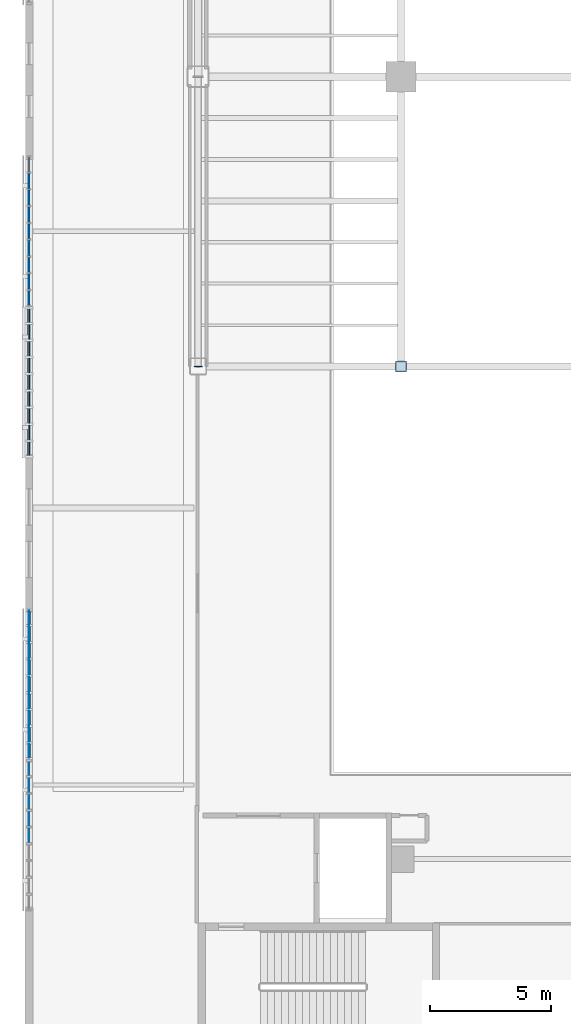
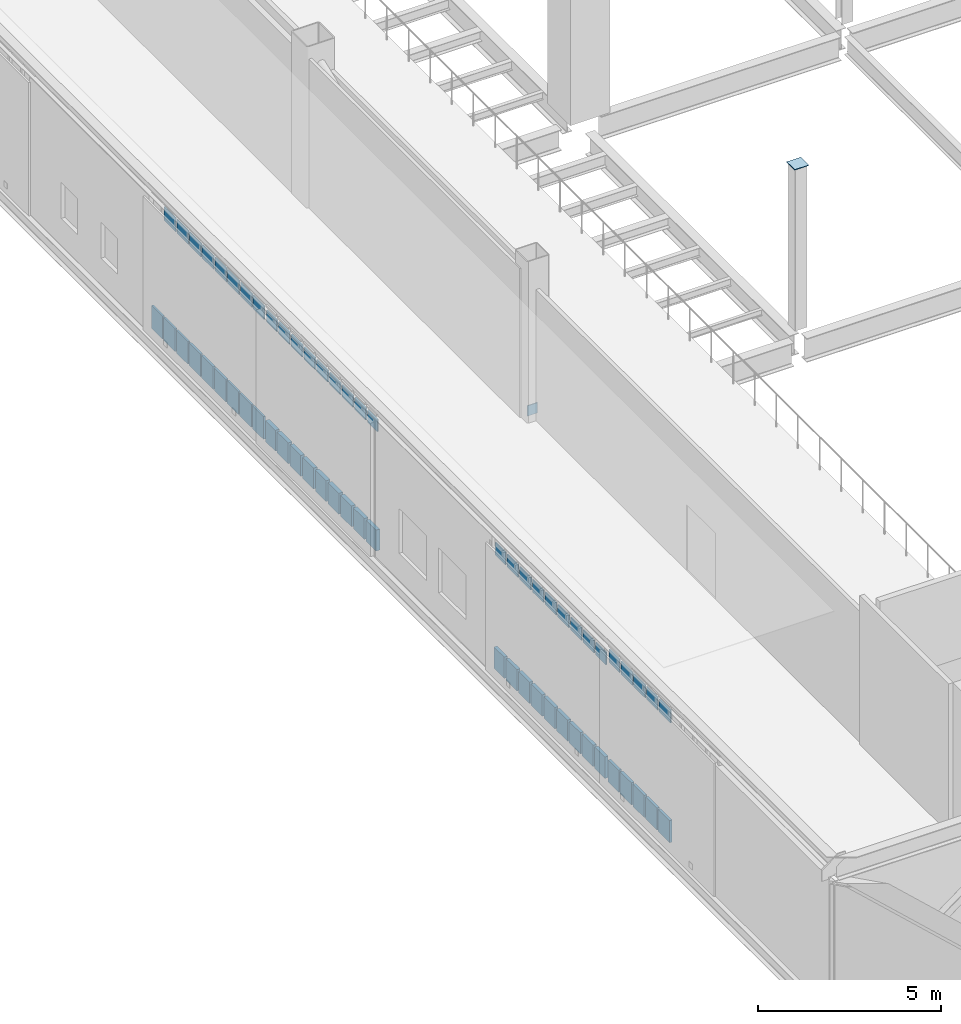
# One storey, part 87 of 127: 65 plates, 4 elements without a shape of their own.
"""IFC4 building model written with IfcOpenShell, lengths in metres."""

from ifc_helpers import new_model, si_unit, direction, frame, origin, origin_2d, place, context, subcontext, project, spatial, rectangle, extrude, material, layer, layer_set, type_object, element, aggregate, save


model = new_model("IFC4")

# Units and contexts
model_context = context("Model", 3, precision=1e-05, world=origin(), true_north=direction((0.0, 1.0)))
body_context = subcontext(model_context, "Body", "Model", "MODEL_VIEW")
ifc_project = project(units=[si_unit("LENGTHUNIT", "METRE"), si_unit("AREAUNIT", "SQUARE_METRE"), si_unit("VOLUMEUNIT", "CUBIC_METRE"), si_unit("PLANEANGLEUNIT", "RADIAN"), si_unit("MASSUNIT", "GRAM", prefix="KILO")], contexts=[model_context])

# Site, building, storey
site_placement = place(None, origin())
site = spatial("IfcSite", under=ifc_project, at=site_placement, CompositionType="ELEMENT")
building_placement = place(site_placement, origin())
building = spatial("IfcBuilding", under=site, at=building_placement, Name="Larkvane Passage Sports Hall", CompositionType="ELEMENT")
storey_placement = place(building_placement, frame((0.0, 0.0, 5.39990234375)))
storey = spatial("IfcBuildingStorey", under=building, at=storey_placement, Name="L01", CompositionType="ELEMENT", Elevation=5.39990234375)

# Curtain wall, plates
ifc_material_1 = material(Name="Thermally broken aluminium and low-E glazing", Category="aluminium")
curtain_wall_type_1 = type_object("IfcCurtainWallType", Name="CW-STICK-FOYER", PredefinedType="USERDEFINED", material=ifc_material_1)
curtain_wall_1_placement = place(storey_placement, origin())
curtain_wall_1 = element("IfcCurtainWall", 1, at=curtain_wall_1_placement, inside=storey, type_object=curtain_wall_type_1, Name="Curtain wall CW5-L01-034", ObjectType="STICK CURTAIN WALL", PredefinedType="USERDEFINED")
ifc_material_2 = material(Name="Fire-stopped shadow-box spandrel panel")
ifc_layer_1 = layer(ifc_material_2, 0.10498046875)
ifc_layer_set_1 = layer_set([ifc_layer_1], Name="Fire-stopped shadow-box spandrel panel")
plate_type_1 = type_object("IfcPlateType", Name="CWP-SPD-105", PredefinedType="CURTAIN_PANEL", material=ifc_layer_set_1)
plate_1_placement = place(storey_placement, frame((27.800048828125, 35.678955078125, 0.08984375), z_axis=(0.0, 0.0, 1.0), x_axis=(0.0, 1.0, 0.0)))
plate_1 = element("IfcPlate", 2, at=plate_1_placement, type_object=plate_type_1, Name="CW-03 panel 1.1", PredefinedType="CURTAIN_PANEL", context=body_context, shape_type="SweptSolid", body=[
    extrude(rectangle(XDim=0.56005859375, YDim=0.10498046875, at=origin_2d()), origin(), (0.0, 0.0, 1.0), 0.715087890625),
])
plate_2_placement = place(storey_placement, frame((27.800048828125, 36.3515625, 0.08984375), z_axis=(0.0, 0.0, 1.0), x_axis=(0.0, 1.0, 0.0)))
plate_2 = element("IfcPlate", 3, at=plate_2_placement, type_object=plate_type_1, Name="CW-03 panel 2.1", PredefinedType="CURTAIN_PANEL", context=body_context, shape_type="SweptSolid", body=[
    extrude(rectangle(XDim=0.60498046875, YDim=0.10498046875, at=origin_2d()), origin(), (0.0, 0.0, 1.0), 0.715087890625),
])
plate_3_placement = place(storey_placement, frame((27.800048828125, 37.04638671875, 0.08984375), z_axis=(0.0, 0.0, 1.0), x_axis=(0.0, 1.0, 0.0)))
plate_3 = element("IfcPlate", 4, at=plate_3_placement, type_object=plate_type_1, Name="CW-03 panel 3.1", PredefinedType="CURTAIN_PANEL", context=body_context, shape_type="SweptSolid", body=[
    extrude(rectangle(XDim=0.60498046875, YDim=0.10498046875, at=origin_2d()), origin(), (0.0, 0.0, 1.0), 0.715087890625),
])
plate_4_placement = place(storey_placement, frame((27.800048828125, 37.741455078125, 0.08984375), z_axis=(0.0, 0.0, 1.0), x_axis=(0.0, 1.0, 0.0)))
plate_4 = element("IfcPlate", 5, at=plate_4_placement, type_object=plate_type_1, Name="CW-03 panel 4.1", PredefinedType="CURTAIN_PANEL", context=body_context, shape_type="SweptSolid", body=[
    extrude(rectangle(XDim=0.60498046875, YDim=0.10498046875, at=origin_2d()), origin(), (0.0, 0.0, 1.0), 0.715087890625),
])
plate_5_placement = place(storey_placement, frame((27.800048828125, 38.436279296875, 0.08984375), z_axis=(0.0, 0.0, 1.0), x_axis=(0.0, 1.0, 0.0)))
plate_5 = element("IfcPlate", 6, at=plate_5_placement, type_object=plate_type_1, Name="CW-03 panel 5.1", PredefinedType="CURTAIN_PANEL", context=body_context, shape_type="SweptSolid", body=[
    extrude(rectangle(XDim=0.60498046875, YDim=0.10498046875, at=origin_2d()), origin(), (0.0, 0.0, 1.0), 0.715087890625),
])
plate_6_placement = place(storey_placement, frame((27.800048828125, 39.13134765625, 0.08984375), z_axis=(0.0, 0.0, 1.0), x_axis=(0.0, 1.0, 0.0)))
plate_6 = element("IfcPlate", 7, at=plate_6_placement, type_object=plate_type_1, Name="CW-03 panel 6.1", PredefinedType="CURTAIN_PANEL", context=body_context, shape_type="SweptSolid", body=[
    extrude(rectangle(XDim=0.60498046875, YDim=0.10498046875, at=origin_2d()), origin(), (0.0, 0.0, 1.0), 0.715087890625),
])
plate_7_placement = place(storey_placement, frame((27.800048828125, 39.826171875, 0.08984375), z_axis=(0.0, 0.0, 1.0), x_axis=(0.0, 1.0, 0.0)))
plate_7 = element("IfcPlate", 8, at=plate_7_placement, type_object=plate_type_1, Name="CW-03 panel 7.1", PredefinedType="CURTAIN_PANEL", context=body_context, shape_type="SweptSolid", body=[
    extrude(rectangle(XDim=0.60498046875, YDim=0.10498046875, at=origin_2d()), origin(), (0.0, 0.0, 1.0), 0.715087890625),
])
plate_8_placement = place(storey_placement, frame((27.800048828125, 40.521240234375, 0.08984375), z_axis=(0.0, 0.0, 1.0), x_axis=(0.0, 1.0, 0.0)))
plate_8 = element("IfcPlate", 9, at=plate_8_placement, type_object=plate_type_1, Name="CW-03 panel 8.1", PredefinedType="CURTAIN_PANEL", context=body_context, shape_type="SweptSolid", body=[
    extrude(rectangle(XDim=0.60498046875, YDim=0.10498046875, at=origin_2d()), origin(), (0.0, 0.0, 1.0), 0.715087890625),
])
plate_9_placement = place(storey_placement, frame((27.800048828125, 41.193603515625, 0.08984375), z_axis=(0.0, 0.0, 1.0), x_axis=(0.0, 1.0, 0.0)))
plate_9 = element("IfcPlate", 10, at=plate_9_placement, type_object=plate_type_1, Name="CW-03 panel 9.1", PredefinedType="CURTAIN_PANEL", context=body_context, shape_type="SweptSolid", body=[
    extrude(rectangle(XDim=0.56005859375, YDim=0.10498046875, at=origin_2d()), origin(), (0.0, 0.0, 1.0), 0.715087890625),
])

curtain_wall_type_2 = type_object("IfcCurtainWallType", Name="CW-CLINIC", PredefinedType="USERDEFINED", material=ifc_material_1)
curtain_wall_2_placement = place(storey_placement, origin())
curtain_wall_2 = element("IfcCurtainWall", 11, at=curtain_wall_2_placement, inside=storey, type_object=curtain_wall_type_2, Name="Curtain wall CW5-L01-035", ObjectType="UNITISED CURTAIN WALL", PredefinedType="USERDEFINED")
ifc_material_3 = material(Name="Deep insulated facade spandrel panel")
ifc_layer_2 = layer(ifc_material_3, 0.125)
ifc_layer_set_2 = layer_set([ifc_layer_2], Name="Deep insulated facade spandrel panel")
plate_type_2 = type_object("IfcPlateType", Name="CWP-SPD-125", PredefinedType="CURTAIN_PANEL", material=ifc_layer_set_2)
plate_10_placement = place(storey_placement, frame((27.800048828125, 48.190673828125, 0.10009765625), z_axis=(0.0, 0.0, 1.0), x_axis=(0.0, 1.0, 0.0)))
plate_10 = element("IfcPlate", 12, at=plate_10_placement, type_object=plate_type_2, Name="CW-05 panel 1.1", PredefinedType="CURTAIN_PANEL", context=body_context, shape_type="SweptSolid", body=[
    extrude(rectangle(XDim=0.544921875, YDim=0.125, at=origin_2d()), origin(), (0.0, 0.0, 1.0), 0.699951171875),
])
plate_11_placement = place(storey_placement, frame((27.800048828125, 48.860595703125, 0.10009765625), z_axis=(0.0, 0.0, 1.0), x_axis=(0.0, 1.0, 0.0)))
plate_11 = element("IfcPlate", 13, at=plate_11_placement, type_object=plate_type_2, Name="CW-05 panel 2.1", PredefinedType="CURTAIN_PANEL", context=body_context, shape_type="SweptSolid", body=[
    extrude(rectangle(XDim=0.594970703125, YDim=0.125, at=origin_2d()), origin(), (0.0, 0.0, 1.0), 0.699951171875),
])
plate_12_placement = place(storey_placement, frame((27.800048828125, 49.5556640625, 0.10009765625), z_axis=(0.0, 0.0, 1.0), x_axis=(0.0, 1.0, 0.0)))
plate_12 = element("IfcPlate", 14, at=plate_12_placement, type_object=plate_type_2, Name="CW-05 panel 3.1", PredefinedType="CURTAIN_PANEL", context=body_context, shape_type="SweptSolid", body=[
    extrude(rectangle(XDim=0.594970703125, YDim=0.125, at=origin_2d()), origin(), (0.0, 0.0, 1.0), 0.699951171875),
])
plate_13_placement = place(storey_placement, frame((27.800048828125, 50.25048828125, 0.10009765625), z_axis=(0.0, 0.0, 1.0), x_axis=(0.0, 1.0, 0.0)))
plate_13 = element("IfcPlate", 15, at=plate_13_placement, type_object=plate_type_2, Name="CW-05 panel 4.1", PredefinedType="CURTAIN_PANEL", context=body_context, shape_type="SweptSolid", body=[
    extrude(rectangle(XDim=0.594970703125, YDim=0.125, at=origin_2d()), origin(), (0.0, 0.0, 1.0), 0.699951171875),
])
plate_14_placement = place(storey_placement, frame((27.800048828125, 50.945556640625, 0.10009765625), z_axis=(0.0, 0.0, 1.0), x_axis=(0.0, 1.0, 0.0)))
plate_14 = element("IfcPlate", 16, at=plate_14_placement, type_object=plate_type_2, Name="CW-05 panel 5.1", PredefinedType="CURTAIN_PANEL", context=body_context, shape_type="SweptSolid", body=[
    extrude(rectangle(XDim=0.594970703125, YDim=0.125, at=origin_2d()), origin(), (0.0, 0.0, 1.0), 0.699951171875),
])
plate_15_placement = place(storey_placement, frame((27.800048828125, 51.640380859375, 0.10009765625), z_axis=(0.0, 0.0, 1.0), x_axis=(0.0, 1.0, 0.0)))
plate_15 = element("IfcPlate", 17, at=plate_15_placement, type_object=plate_type_2, Name="CW-05 panel 6.1", PredefinedType="CURTAIN_PANEL", context=body_context, shape_type="SweptSolid", body=[
    extrude(rectangle(XDim=0.594970703125, YDim=0.125, at=origin_2d()), origin(), (0.0, 0.0, 1.0), 0.699951171875),
])
plate_16_placement = place(storey_placement, frame((27.800048828125, 52.33544921875, 0.10009765625), z_axis=(0.0, 0.0, 1.0), x_axis=(0.0, 1.0, 0.0)))
plate_16 = element("IfcPlate", 18, at=plate_16_placement, type_object=plate_type_2, Name="CW-05 panel 7.1", PredefinedType="CURTAIN_PANEL", context=body_context, shape_type="SweptSolid", body=[
    extrude(rectangle(XDim=0.594970703125, YDim=0.125, at=origin_2d()), origin(), (0.0, 0.0, 1.0), 0.699951171875),
])
plate_17_placement = place(storey_placement, frame((27.800048828125, 53.0302734375, 0.10009765625), z_axis=(0.0, 0.0, 1.0), x_axis=(0.0, 1.0, 0.0)))
plate_17 = element("IfcPlate", 19, at=plate_17_placement, type_object=plate_type_2, Name="CW-05 panel 8.1", PredefinedType="CURTAIN_PANEL", context=body_context, shape_type="SweptSolid", body=[
    extrude(rectangle(XDim=0.594970703125, YDim=0.125, at=origin_2d()), origin(), (0.0, 0.0, 1.0), 0.699951171875),
])
plate_18_placement = place(storey_placement, frame((27.800048828125, 53.7001953125, 0.10009765625), z_axis=(0.0, 0.0, 1.0), x_axis=(0.0, 1.0, 0.0)))
plate_18 = element("IfcPlate", 20, at=plate_18_placement, type_object=plate_type_2, Name="CW-05 panel 9.1", PredefinedType="CURTAIN_PANEL", context=body_context, shape_type="SweptSolid", body=[
    extrude(rectangle(XDim=0.544921875, YDim=0.125, at=origin_2d()), origin(), (0.0, 0.0, 1.0), 0.699951171875),
])

curtain_wall_type_3 = type_object("IfcCurtainWallType", Name="CW-UNIT-COURT", PredefinedType="USERDEFINED", material=ifc_material_1)
curtain_wall_3_placement = place(storey_placement, origin())
curtain_wall_3 = element("IfcCurtainWall", 21, at=curtain_wall_3_placement, inside=storey, type_object=curtain_wall_type_3, Name="Curtain wall CW5-L01-036", ObjectType="UNITISED CURTAIN WALL", PredefinedType="USERDEFINED")
ifc_material_4 = material(Name="Insulated aluminium spandrel panel", Category="aluminium")
ifc_layer_3 = layer(ifc_material_4, 0.06494140625)
ifc_layer_set_3 = layer_set([ifc_layer_3], Name="Insulated aluminium spandrel panel")
plate_type_3 = type_object("IfcPlateType", Name="CWP-SPD-65", PredefinedType="CURTAIN_PANEL", material=ifc_layer_set_3)
plate_19_placement = place(storey_placement, frame((27.800048828125, 54.43505859375, 0.06005859375), z_axis=(0.0, 0.0, 1.0), x_axis=(0.0, 1.0, 0.0)))
plate_19 = element("IfcPlate", 22, at=plate_19_placement, type_object=plate_type_3, Name="CW-01 panel 1.1", PredefinedType="CURTAIN_PANEL", context=body_context, shape_type="SweptSolid", body=[
    extrude(rectangle(XDim=0.60498046875, YDim=0.06494140625, at=origin_2d()), origin(), (0.0, 0.0, 1.0), 0.760009765625),
])
plate_20_placement = place(storey_placement, frame((27.800048828125, 55.115234375, 0.06005859375), z_axis=(0.0, 0.0, 1.0), x_axis=(0.0, 1.0, 0.0)))
plate_20 = element("IfcPlate", 23, at=plate_20_placement, type_object=plate_type_3, Name="CW-01 panel 2.1", PredefinedType="CURTAIN_PANEL", context=body_context, shape_type="SweptSolid", body=[
    extrude(rectangle(XDim=0.635009765625, YDim=0.06494140625, at=origin_2d()), origin(), (0.0, 0.0, 1.0), 0.760009765625),
])
plate_21_placement = place(storey_placement, frame((27.800048828125, 55.81005859375, 0.06005859375), z_axis=(0.0, 0.0, 1.0), x_axis=(0.0, 1.0, 0.0)))
plate_21 = element("IfcPlate", 24, at=plate_21_placement, type_object=plate_type_3, Name="CW-01 panel 3.1", PredefinedType="CURTAIN_PANEL", context=body_context, shape_type="SweptSolid", body=[
    extrude(rectangle(XDim=0.635009765625, YDim=0.06494140625, at=origin_2d()), origin(), (0.0, 0.0, 1.0), 0.760009765625),
])
plate_22_placement = place(storey_placement, frame((27.800048828125, 56.505126953125, 0.06005859375), z_axis=(0.0, 0.0, 1.0), x_axis=(0.0, 1.0, 0.0)))
plate_22 = element("IfcPlate", 25, at=plate_22_placement, type_object=plate_type_3, Name="CW-01 panel 4.1", PredefinedType="CURTAIN_PANEL", context=body_context, shape_type="SweptSolid", body=[
    extrude(rectangle(XDim=0.635009765625, YDim=0.06494140625, at=origin_2d()), origin(), (0.0, 0.0, 1.0), 0.760009765625),
])
plate_23_placement = place(storey_placement, frame((27.800048828125, 57.199951171875, 0.06005859375), z_axis=(0.0, 0.0, 1.0), x_axis=(0.0, 1.0, 0.0)))
plate_23 = element("IfcPlate", 26, at=plate_23_placement, type_object=plate_type_3, Name="CW-01 panel 5.1", PredefinedType="CURTAIN_PANEL", context=body_context, shape_type="SweptSolid", body=[
    extrude(rectangle(XDim=0.635009765625, YDim=0.06494140625, at=origin_2d()), origin(), (0.0, 0.0, 1.0), 0.760009765625),
])
plate_24_placement = place(storey_placement, frame((27.800048828125, 57.89501953125, 0.06005859375), z_axis=(0.0, 0.0, 1.0), x_axis=(0.0, 1.0, 0.0)))
plate_24 = element("IfcPlate", 27, at=plate_24_placement, type_object=plate_type_3, Name="CW-01 panel 6.1", PredefinedType="CURTAIN_PANEL", context=body_context, shape_type="SweptSolid", body=[
    extrude(rectangle(XDim=0.635009765625, YDim=0.06494140625, at=origin_2d()), origin(), (0.0, 0.0, 1.0), 0.760009765625),
])
plate_25_placement = place(storey_placement, frame((27.800048828125, 58.58984375, 0.06005859375), z_axis=(0.0, 0.0, 1.0), x_axis=(0.0, 1.0, 0.0)))
plate_25 = element("IfcPlate", 28, at=plate_25_placement, type_object=plate_type_3, Name="CW-01 panel 7.1", PredefinedType="CURTAIN_PANEL", context=body_context, shape_type="SweptSolid", body=[
    extrude(rectangle(XDim=0.635009765625, YDim=0.06494140625, at=origin_2d()), origin(), (0.0, 0.0, 1.0), 0.760009765625),
])
plate_26_placement = place(storey_placement, frame((27.800048828125, 59.284912109375, 0.06005859375), z_axis=(0.0, 0.0, 1.0), x_axis=(0.0, 1.0, 0.0)))
plate_26 = element("IfcPlate", 29, at=plate_26_placement, type_object=plate_type_3, Name="CW-01 panel 8.1", PredefinedType="CURTAIN_PANEL", context=body_context, shape_type="SweptSolid", body=[
    extrude(rectangle(XDim=0.635009765625, YDim=0.06494140625, at=origin_2d()), origin(), (0.0, 0.0, 1.0), 0.760009765625),
])
plate_27_placement = place(storey_placement, frame((27.800048828125, 59.96484375, 0.06005859375), z_axis=(0.0, 0.0, 1.0), x_axis=(0.0, 1.0, 0.0)))
plate_27 = element("IfcPlate", 30, at=plate_27_placement, type_object=plate_type_3, Name="CW-01 panel 9.1", PredefinedType="CURTAIN_PANEL", context=body_context, shape_type="SweptSolid", body=[
    extrude(rectangle(XDim=0.60498046875, YDim=0.06494140625, at=origin_2d()), origin(), (0.0, 0.0, 1.0), 0.760009765625),
])

curtain_wall_type_4 = type_object("IfcCurtainWallType", Name="CW-UNIT-VEIL", PredefinedType="USERDEFINED", material=ifc_material_1)
curtain_wall_4_placement = place(storey_placement, origin())
curtain_wall_4 = element("IfcCurtainWall", 31, at=curtain_wall_4_placement, inside=storey, type_object=curtain_wall_type_4, Name="Curtain wall CW5-L01-033", ObjectType="UNITISED CURTAIN WALL", PredefinedType="USERDEFINED")
ifc_material_5 = material(Name="Mineral-wool insulated spandrel cassette")
ifc_layer_4 = layer(ifc_material_5, 0.0849609375)
ifc_layer_set_4 = layer_set([ifc_layer_4], Name="Mineral-wool insulated spandrel cassette")
plate_type_4 = type_object("IfcPlateType", Name="CWP-SPD-85", PredefinedType="CURTAIN_PANEL", material=ifc_layer_set_4)
plate_28_placement = place(storey_placement, frame((27.800048828125, 32.181884765625, 0.0751953125), z_axis=(0.0, 0.0, 1.0), x_axis=(0.0, 1.0, 0.0)))
plate_28 = element("IfcPlate", 32, at=plate_28_placement, type_object=plate_type_4, Name="CW-02 panel 5.1", PredefinedType="CURTAIN_PANEL", context=body_context, shape_type="SweptSolid", body=[
    extrude(rectangle(XDim=0.619873046875, YDim=0.0849609375, at=origin_2d()), origin(), (0.0, 0.0, 1.0), 0.737548828125),
])
plate_29_placement = place(storey_placement, frame((27.800048828125, 32.876708984375, 0.0751953125), z_axis=(0.0, 0.0, 1.0), x_axis=(0.0, 1.0, 0.0)))
plate_29 = element("IfcPlate", 33, at=plate_29_placement, type_object=plate_type_4, Name="CW-02 panel 6.1", PredefinedType="CURTAIN_PANEL", context=body_context, shape_type="SweptSolid", body=[
    extrude(rectangle(XDim=0.619873046875, YDim=0.0849609375, at=origin_2d()), origin(), (0.0, 0.0, 1.0), 0.737548828125),
])
plate_30_placement = place(storey_placement, frame((27.800048828125, 33.57177734375, 0.0751953125), z_axis=(0.0, 0.0, 1.0), x_axis=(0.0, 1.0, 0.0)))
plate_30 = element("IfcPlate", 34, at=plate_30_placement, type_object=plate_type_4, Name="CW-02 panel 7.1", PredefinedType="CURTAIN_PANEL", context=body_context, shape_type="SweptSolid", body=[
    extrude(rectangle(XDim=0.619873046875, YDim=0.0849609375, at=origin_2d()), origin(), (0.0, 0.0, 1.0), 0.737548828125),
])
plate_31_placement = place(storey_placement, frame((27.800048828125, 34.2666015625, 0.0751953125), z_axis=(0.0, 0.0, 1.0), x_axis=(0.0, 1.0, 0.0)))
plate_31 = element("IfcPlate", 35, at=plate_31_placement, type_object=plate_type_4, Name="CW-02 panel 8.1", PredefinedType="CURTAIN_PANEL", context=body_context, shape_type="SweptSolid", body=[
    extrude(rectangle(XDim=0.619873046875, YDim=0.0849609375, at=origin_2d()), origin(), (0.0, 0.0, 1.0), 0.737548828125),
])
plate_32_placement = place(storey_placement, frame((27.800048828125, 34.94287109375, 0.0751953125), z_axis=(0.0, 0.0, 1.0), x_axis=(0.0, 1.0, 0.0)))
plate_32 = element("IfcPlate", 36, at=plate_32_placement, type_object=plate_type_4, Name="CW-02 panel 9.1", PredefinedType="CURTAIN_PANEL", context=body_context, shape_type="SweptSolid", body=[
    extrude(rectangle(XDim=0.58251953125, YDim=0.0849609375, at=origin_2d()), origin(), (0.0, 0.0, 1.0), 0.737548828125),
])

# Plate
ifc_material_6 = material(Name="Solar-control low-E double glazing", Category="glass")
ifc_layer_5 = layer(ifc_material_6, 0.028076171875)
ifc_layer_set_5 = layer_set([ifc_layer_5], Name="Solar-control low-E double glazing")
plate_type_5 = type_object("IfcPlateType", Name="CWP-VIS-28", PredefinedType="CURTAIN_PANEL", material=ifc_layer_set_5)
plate_33_placement = place(storey_placement, frame((27.800048828125, 54.43505859375, 4.05810546875), z_axis=(0.0, 0.0, 1.0), x_axis=(0.0, 1.0, 0.0)))
plate_33 = element("IfcPlate", 37, at=plate_33_placement, type_object=plate_type_5, Name="CW-01 panel 1.3", PredefinedType="CURTAIN_PANEL", context=body_context, shape_type="SweptSolid", body=[
    extrude(rectangle(XDim=0.60498046875, YDim=0.028076171875, at=origin_2d()), origin(), (0.0, 0.0, 1.0), 0.4599609375),
])

plate_34_placement = place(storey_placement, frame((27.800048828125, 55.115234375, 4.05810546875), z_axis=(0.0, 0.0, 1.0), x_axis=(0.0, 1.0, 0.0)))
plate_34 = element("IfcPlate", 38, at=plate_34_placement, type_object=plate_type_5, Name="CW-01 panel 2.3", PredefinedType="CURTAIN_PANEL", context=body_context, shape_type="SweptSolid", body=[
    extrude(rectangle(XDim=0.635009765625, YDim=0.028076171875, at=origin_2d()), origin(), (0.0, 0.0, 1.0), 0.4599609375),
])

plate_35_placement = place(storey_placement, frame((27.800048828125, 55.81005859375, 4.05810546875), z_axis=(0.0, 0.0, 1.0), x_axis=(0.0, 1.0, 0.0)))
plate_35 = element("IfcPlate", 39, at=plate_35_placement, type_object=plate_type_5, Name="CW-01 panel 3.3", PredefinedType="CURTAIN_PANEL", context=body_context, shape_type="SweptSolid", body=[
    extrude(rectangle(XDim=0.635009765625, YDim=0.028076171875, at=origin_2d()), origin(), (0.0, 0.0, 1.0), 0.4599609375),
])

plate_36_placement = place(storey_placement, frame((27.800048828125, 56.505126953125, 4.05810546875), z_axis=(0.0, 0.0, 1.0), x_axis=(0.0, 1.0, 0.0)))
plate_36 = element("IfcPlate", 40, at=plate_36_placement, type_object=plate_type_5, Name="CW-01 panel 4.3", PredefinedType="CURTAIN_PANEL", context=body_context, shape_type="SweptSolid", body=[
    extrude(rectangle(XDim=0.635009765625, YDim=0.028076171875, at=origin_2d()), origin(), (0.0, 0.0, 1.0), 0.4599609375),
])

plate_37_placement = place(storey_placement, frame((27.800048828125, 57.199951171875, 4.05810546875), z_axis=(0.0, 0.0, 1.0), x_axis=(0.0, 1.0, 0.0)))
plate_37 = element("IfcPlate", 41, at=plate_37_placement, type_object=plate_type_5, Name="CW-01 panel 5.3", PredefinedType="CURTAIN_PANEL", context=body_context, shape_type="SweptSolid", body=[
    extrude(rectangle(XDim=0.635009765625, YDim=0.028076171875, at=origin_2d()), origin(), (0.0, 0.0, 1.0), 0.4599609375),
])

plate_38_placement = place(storey_placement, frame((27.800048828125, 57.89501953125, 4.05810546875), z_axis=(0.0, 0.0, 1.0), x_axis=(0.0, 1.0, 0.0)))
plate_38 = element("IfcPlate", 42, at=plate_38_placement, type_object=plate_type_5, Name="CW-01 panel 6.3", PredefinedType="CURTAIN_PANEL", context=body_context, shape_type="SweptSolid", body=[
    extrude(rectangle(XDim=0.635009765625, YDim=0.028076171875, at=origin_2d()), origin(), (0.0, 0.0, 1.0), 0.4599609375),
])

plate_39_placement = place(storey_placement, frame((27.800048828125, 58.58984375, 4.05810546875), z_axis=(0.0, 0.0, 1.0), x_axis=(0.0, 1.0, 0.0)))
plate_39 = element("IfcPlate", 43, at=plate_39_placement, type_object=plate_type_5, Name="CW-01 panel 7.3", PredefinedType="CURTAIN_PANEL", context=body_context, shape_type="SweptSolid", body=[
    extrude(rectangle(XDim=0.635009765625, YDim=0.028076171875, at=origin_2d()), origin(), (0.0, 0.0, 1.0), 0.4599609375),
])

plate_40_placement = place(storey_placement, frame((27.800048828125, 59.284912109375, 4.05810546875), z_axis=(0.0, 0.0, 1.0), x_axis=(0.0, 1.0, 0.0)))
plate_40 = element("IfcPlate", 44, at=plate_40_placement, type_object=plate_type_5, Name="CW-01 panel 8.3", PredefinedType="CURTAIN_PANEL", context=body_context, shape_type="SweptSolid", body=[
    extrude(rectangle(XDim=0.635009765625, YDim=0.028076171875, at=origin_2d()), origin(), (0.0, 0.0, 1.0), 0.4599609375),
])

aggregate(curtain_wall_3, [plate_19, plate_33, plate_20, plate_34, plate_21, plate_35, plate_22, plate_36, plate_23, plate_37, plate_24, plate_38, plate_25, plate_39, plate_26, plate_40, plate_27])

ifc_material_7 = material(Name="Laminated acoustic low-E glazing", Category="glass")
ifc_layer_6 = layer(ifc_material_7, 0.031982421875)
ifc_layer_set_6 = layer_set([ifc_layer_6], Name="Laminated acoustic low-E glazing")
plate_type_6 = type_object("IfcPlateType", Name="CWP-VIS-32", PredefinedType="CURTAIN_PANEL", material=ifc_layer_set_6)
plate_41_placement = place(storey_placement, frame((27.800048828125, 32.181884765625, 4.065673828125), z_axis=(0.0, 0.0, 1.0), x_axis=(0.0, 1.0, 0.0)))
plate_41 = element("IfcPlate", 45, at=plate_41_placement, type_object=plate_type_6, Name="CW-02 panel 5.3", PredefinedType="CURTAIN_PANEL", context=body_context, shape_type="SweptSolid", body=[
    extrude(rectangle(XDim=0.619873046875, YDim=0.031982421875, at=origin_2d()), origin(), (0.0, 0.0, 1.0), 0.4375),
])

plate_42_placement = place(storey_placement, frame((27.800048828125, 32.876708984375, 4.065673828125), z_axis=(0.0, 0.0, 1.0), x_axis=(0.0, 1.0, 0.0)))
plate_42 = element("IfcPlate", 46, at=plate_42_placement, type_object=plate_type_6, Name="CW-02 panel 6.3", PredefinedType="CURTAIN_PANEL", context=body_context, shape_type="SweptSolid", body=[
    extrude(rectangle(XDim=0.619873046875, YDim=0.031982421875, at=origin_2d()), origin(), (0.0, 0.0, 1.0), 0.4375),
])

plate_43_placement = place(storey_placement, frame((27.800048828125, 33.57177734375, 4.065673828125), z_axis=(0.0, 0.0, 1.0), x_axis=(0.0, 1.0, 0.0)))
plate_43 = element("IfcPlate", 47, at=plate_43_placement, type_object=plate_type_6, Name="CW-02 panel 7.3", PredefinedType="CURTAIN_PANEL", context=body_context, shape_type="SweptSolid", body=[
    extrude(rectangle(XDim=0.619873046875, YDim=0.031982421875, at=origin_2d()), origin(), (0.0, 0.0, 1.0), 0.4375),
])

plate_44_placement = place(storey_placement, frame((27.800048828125, 34.2666015625, 4.065673828125), z_axis=(0.0, 0.0, 1.0), x_axis=(0.0, 1.0, 0.0)))
plate_44 = element("IfcPlate", 48, at=plate_44_placement, type_object=plate_type_6, Name="CW-02 panel 8.3", PredefinedType="CURTAIN_PANEL", context=body_context, shape_type="SweptSolid", body=[
    extrude(rectangle(XDim=0.619873046875, YDim=0.031982421875, at=origin_2d()), origin(), (0.0, 0.0, 1.0), 0.4375),
])

plate_45_placement = place(storey_placement, frame((27.800048828125, 34.94287109375, 4.065673828125), z_axis=(0.0, 0.0, 1.0), x_axis=(0.0, 1.0, 0.0)))
plate_45 = element("IfcPlate", 49, at=plate_45_placement, type_object=plate_type_6, Name="CW-02 panel 9.3", PredefinedType="CURTAIN_PANEL", context=body_context, shape_type="SweptSolid", body=[
    extrude(rectangle(XDim=0.58251953125, YDim=0.031982421875, at=origin_2d()), origin(), (0.0, 0.0, 1.0), 0.4375),
])

aggregate(curtain_wall_4, [plate_28, plate_41, plate_29, plate_42, plate_30, plate_43, plate_31, plate_44, plate_32, plate_45])

ifc_material_8 = material(Name="High-impact court low-E glazing", Category="glass")
ifc_layer_7 = layer(ifc_material_8, 0.035888671875)
ifc_layer_set_7 = layer_set([ifc_layer_7], Name="High-impact court low-E glazing")
plate_type_7 = type_object("IfcPlateType", Name="CWP-VIS-36", PredefinedType="CURTAIN_PANEL", material=ifc_layer_set_7)
plate_46_placement = place(storey_placement, frame((27.800048828125, 35.678955078125, 3.875), z_axis=(0.0, 0.0, 1.0), x_axis=(0.0, 1.0, 0.0)))
plate_46 = element("IfcPlate", 50, at=plate_46_placement, type_object=plate_type_7, Name="CW-03 panel 1.3", PredefinedType="CURTAIN_PANEL", context=body_context, shape_type="SweptSolid", body=[
    extrude(rectangle(XDim=0.56005859375, YDim=0.035888671875, at=origin_2d()), origin(), (0.0, 0.0, 1.0), 0.4150390625),
])

plate_47_placement = place(storey_placement, frame((27.800048828125, 36.3515625, 3.875), z_axis=(0.0, 0.0, 1.0), x_axis=(0.0, 1.0, 0.0)))
plate_47 = element("IfcPlate", 51, at=plate_47_placement, type_object=plate_type_7, Name="CW-03 panel 2.3", PredefinedType="CURTAIN_PANEL", context=body_context, shape_type="SweptSolid", body=[
    extrude(rectangle(XDim=0.60498046875, YDim=0.035888671875, at=origin_2d()), origin(), (0.0, 0.0, 1.0), 0.4150390625),
])

plate_48_placement = place(storey_placement, frame((27.800048828125, 37.04638671875, 3.875), z_axis=(0.0, 0.0, 1.0), x_axis=(0.0, 1.0, 0.0)))
plate_48 = element("IfcPlate", 52, at=plate_48_placement, type_object=plate_type_7, Name="CW-03 panel 3.3", PredefinedType="CURTAIN_PANEL", context=body_context, shape_type="SweptSolid", body=[
    extrude(rectangle(XDim=0.60498046875, YDim=0.035888671875, at=origin_2d()), origin(), (0.0, 0.0, 1.0), 0.4150390625),
])

plate_49_placement = place(storey_placement, frame((27.800048828125, 37.741455078125, 3.875), z_axis=(0.0, 0.0, 1.0), x_axis=(0.0, 1.0, 0.0)))
plate_49 = element("IfcPlate", 53, at=plate_49_placement, type_object=plate_type_7, Name="CW-03 panel 4.3", PredefinedType="CURTAIN_PANEL", context=body_context, shape_type="SweptSolid", body=[
    extrude(rectangle(XDim=0.60498046875, YDim=0.035888671875, at=origin_2d()), origin(), (0.0, 0.0, 1.0), 0.4150390625),
])

plate_50_placement = place(storey_placement, frame((27.800048828125, 38.436279296875, 3.875), z_axis=(0.0, 0.0, 1.0), x_axis=(0.0, 1.0, 0.0)))
plate_50 = element("IfcPlate", 54, at=plate_50_placement, type_object=plate_type_7, Name="CW-03 panel 5.3", PredefinedType="CURTAIN_PANEL", context=body_context, shape_type="SweptSolid", body=[
    extrude(rectangle(XDim=0.60498046875, YDim=0.035888671875, at=origin_2d()), origin(), (0.0, 0.0, 1.0), 0.4150390625),
])

plate_51_placement = place(storey_placement, frame((27.800048828125, 39.13134765625, 3.875), z_axis=(0.0, 0.0, 1.0), x_axis=(0.0, 1.0, 0.0)))
plate_51 = element("IfcPlate", 55, at=plate_51_placement, type_object=plate_type_7, Name="CW-03 panel 6.3", PredefinedType="CURTAIN_PANEL", context=body_context, shape_type="SweptSolid", body=[
    extrude(rectangle(XDim=0.60498046875, YDim=0.035888671875, at=origin_2d()), origin(), (0.0, 0.0, 1.0), 0.4150390625),
])

plate_52_placement = place(storey_placement, frame((27.800048828125, 39.826171875, 3.875), z_axis=(0.0, 0.0, 1.0), x_axis=(0.0, 1.0, 0.0)))
plate_52 = element("IfcPlate", 56, at=plate_52_placement, type_object=plate_type_7, Name="CW-03 panel 7.3", PredefinedType="CURTAIN_PANEL", context=body_context, shape_type="SweptSolid", body=[
    extrude(rectangle(XDim=0.60498046875, YDim=0.035888671875, at=origin_2d()), origin(), (0.0, 0.0, 1.0), 0.4150390625),
])

plate_53_placement = place(storey_placement, frame((27.800048828125, 40.521240234375, 3.875), z_axis=(0.0, 0.0, 1.0), x_axis=(0.0, 1.0, 0.0)))
plate_53 = element("IfcPlate", 57, at=plate_53_placement, type_object=plate_type_7, Name="CW-03 panel 8.3", PredefinedType="CURTAIN_PANEL", context=body_context, shape_type="SweptSolid", body=[
    extrude(rectangle(XDim=0.60498046875, YDim=0.035888671875, at=origin_2d()), origin(), (0.0, 0.0, 1.0), 0.4150390625),
])

plate_54_placement = place(storey_placement, frame((27.800048828125, 41.193603515625, 3.875), z_axis=(0.0, 0.0, 1.0), x_axis=(0.0, 1.0, 0.0)))
plate_54 = element("IfcPlate", 58, at=plate_54_placement, type_object=plate_type_7, Name="CW-03 panel 9.3", PredefinedType="CURTAIN_PANEL", context=body_context, shape_type="SweptSolid", body=[
    extrude(rectangle(XDim=0.56005859375, YDim=0.035888671875, at=origin_2d()), origin(), (0.0, 0.0, 1.0), 0.4150390625),
])

aggregate(curtain_wall_1, [plate_1, plate_46, plate_2, plate_47, plate_3, plate_48, plate_4, plate_49, plate_5, plate_50, plate_6, plate_51, plate_7, plate_52, plate_8, plate_53, plate_9, plate_54])

ifc_material_9 = material(Name="Triple-laminated typhoon glazing", Category="glass")
ifc_layer_8 = layer(ifc_material_9, 0.0419921875)
ifc_layer_set_8 = layer_set([ifc_layer_8], Name="Triple-laminated typhoon glazing")
plate_type_8 = type_object("IfcPlateType", Name="CWP-VIS-42", PredefinedType="CURTAIN_PANEL", material=ifc_layer_set_8)
plate_55_placement = place(storey_placement, frame((27.800048828125, 48.190673828125, 4.078125), z_axis=(0.0, 0.0, 1.0), x_axis=(0.0, 1.0, 0.0)))
plate_55 = element("IfcPlate", 59, at=plate_55_placement, type_object=plate_type_8, Name="CW-05 panel 1.3", PredefinedType="CURTAIN_PANEL", context=body_context, shape_type="SweptSolid", body=[
    extrude(rectangle(XDim=0.544921875, YDim=0.0419921875, at=origin_2d()), origin(), (0.0, 0.0, 1.0), 0.39990234375),
])

plate_56_placement = place(storey_placement, frame((27.800048828125, 48.860595703125, 4.078125), z_axis=(0.0, 0.0, 1.0), x_axis=(0.0, 1.0, 0.0)))
plate_56 = element("IfcPlate", 60, at=plate_56_placement, type_object=plate_type_8, Name="CW-05 panel 2.3", PredefinedType="CURTAIN_PANEL", context=body_context, shape_type="SweptSolid", body=[
    extrude(rectangle(XDim=0.594970703125, YDim=0.0419921875, at=origin_2d()), origin(), (0.0, 0.0, 1.0), 0.39990234375),
])

plate_57_placement = place(storey_placement, frame((27.800048828125, 49.5556640625, 4.078125), z_axis=(0.0, 0.0, 1.0), x_axis=(0.0, 1.0, 0.0)))
plate_57 = element("IfcPlate", 61, at=plate_57_placement, type_object=plate_type_8, Name="CW-05 panel 3.3", PredefinedType="CURTAIN_PANEL", context=body_context, shape_type="SweptSolid", body=[
    extrude(rectangle(XDim=0.594970703125, YDim=0.0419921875, at=origin_2d()), origin(), (0.0, 0.0, 1.0), 0.39990234375),
])

plate_58_placement = place(storey_placement, frame((27.800048828125, 50.25048828125, 4.078125), z_axis=(0.0, 0.0, 1.0), x_axis=(0.0, 1.0, 0.0)))
plate_58 = element("IfcPlate", 62, at=plate_58_placement, type_object=plate_type_8, Name="CW-05 panel 4.3", PredefinedType="CURTAIN_PANEL", context=body_context, shape_type="SweptSolid", body=[
    extrude(rectangle(XDim=0.594970703125, YDim=0.0419921875, at=origin_2d()), origin(), (0.0, 0.0, 1.0), 0.39990234375),
])

plate_59_placement = place(storey_placement, frame((27.800048828125, 50.945556640625, 4.078125), z_axis=(0.0, 0.0, 1.0), x_axis=(0.0, 1.0, 0.0)))
plate_59 = element("IfcPlate", 63, at=plate_59_placement, type_object=plate_type_8, Name="CW-05 panel 5.3", PredefinedType="CURTAIN_PANEL", context=body_context, shape_type="SweptSolid", body=[
    extrude(rectangle(XDim=0.594970703125, YDim=0.0419921875, at=origin_2d()), origin(), (0.0, 0.0, 1.0), 0.39990234375),
])

plate_60_placement = place(storey_placement, frame((27.800048828125, 51.640380859375, 4.078125), z_axis=(0.0, 0.0, 1.0), x_axis=(0.0, 1.0, 0.0)))
plate_60 = element("IfcPlate", 64, at=plate_60_placement, type_object=plate_type_8, Name="CW-05 panel 6.3", PredefinedType="CURTAIN_PANEL", context=body_context, shape_type="SweptSolid", body=[
    extrude(rectangle(XDim=0.594970703125, YDim=0.0419921875, at=origin_2d()), origin(), (0.0, 0.0, 1.0), 0.39990234375),
])

plate_61_placement = place(storey_placement, frame((27.800048828125, 52.33544921875, 4.078125), z_axis=(0.0, 0.0, 1.0), x_axis=(0.0, 1.0, 0.0)))
plate_61 = element("IfcPlate", 65, at=plate_61_placement, type_object=plate_type_8, Name="CW-05 panel 7.3", PredefinedType="CURTAIN_PANEL", context=body_context, shape_type="SweptSolid", body=[
    extrude(rectangle(XDim=0.594970703125, YDim=0.0419921875, at=origin_2d()), origin(), (0.0, 0.0, 1.0), 0.39990234375),
])

plate_62_placement = place(storey_placement, frame((27.800048828125, 53.0302734375, 4.078125), z_axis=(0.0, 0.0, 1.0), x_axis=(0.0, 1.0, 0.0)))
plate_62 = element("IfcPlate", 66, at=plate_62_placement, type_object=plate_type_8, Name="CW-05 panel 8.3", PredefinedType="CURTAIN_PANEL", context=body_context, shape_type="SweptSolid", body=[
    extrude(rectangle(XDim=0.594970703125, YDim=0.0419921875, at=origin_2d()), origin(), (0.0, 0.0, 1.0), 0.39990234375),
])

plate_63_placement = place(storey_placement, frame((27.800048828125, 53.7001953125, 4.078125), z_axis=(0.0, 0.0, 1.0), x_axis=(0.0, 1.0, 0.0)))
plate_63 = element("IfcPlate", 67, at=plate_63_placement, type_object=plate_type_8, Name="CW-05 panel 9.3", PredefinedType="CURTAIN_PANEL", context=body_context, shape_type="SweptSolid", body=[
    extrude(rectangle(XDim=0.544921875, YDim=0.0419921875, at=origin_2d()), origin(), (0.0, 0.0, 1.0), 0.39990234375),
])

aggregate(curtain_wall_2, [plate_10, plate_55, plate_11, plate_56, plate_12, plate_57, plate_13, plate_58, plate_14, plate_59, plate_15, plate_60, plate_16, plate_61, plate_17, plate_62, plate_18, plate_63])

# Plates
ifc_material_10 = material(Name="Steel S355JR", Category="steel")
ifc_layer_9 = layer(ifc_material_10, 0.011962890625)
ifc_layer_set_9 = layer_set([ifc_layer_9], Name="Steel S355JR")
plate_type_9 = type_object("IfcPlateType", Name="PLT-CAP-12", PredefinedType="SHEET", material=ifc_layer_set_9)
plate_64_placement = place(storey_placement, frame((34.800048828125, 51.594482421875, -0.025390625), z_axis=(0.0, 0.0, 1.0), x_axis=(-1.0, 0.0, 0.0)))
element("IfcPlate", 68, at=plate_64_placement, inside=storey, type_object=plate_type_9, Name="Hollow section sealed end cap plate 0558", PredefinedType="SHEET", context=body_context, shape_type="SweptSolid", body=[
    extrude(rectangle(XDim=0.326904296875, YDim=0.028076171875, at=origin_2d()), origin(), (0.0, 0.0, 1.0), 0.346923828125),
])
ifc_material_11 = material(Name="Steel S460N", Category="steel")
ifc_layer_10 = layer(ifc_material_11, 0.02001953125)
ifc_layer_set_10 = layer_set([ifc_layer_10], Name="Steel S460N")
plate_type_10 = type_object("IfcPlateType", Name="PLT-CAP-20", PredefinedType="SHEET", material=ifc_layer_set_10)
plate_65_placement = place(storey_placement, frame((43.199951171875, 51.60009765625, 5.400146484375), z_axis=(0.0, 0.0, 1.0), x_axis=(1.0, 0.0, 0.0)))
element("IfcPlate", 69, at=plate_65_placement, inside=storey, type_object=plate_type_10, Name="Hollow section sealed end cap plate 0006", PredefinedType="SHEET", context=body_context, shape_type="SweptSolid", body=[
    extrude(rectangle(XDim=0.43994140625, YDim=0.43994140625, at=origin_2d()), origin(), (0.0, 0.0, 1.0), 0.02001953125),
])

save(model, "model.ifc")
